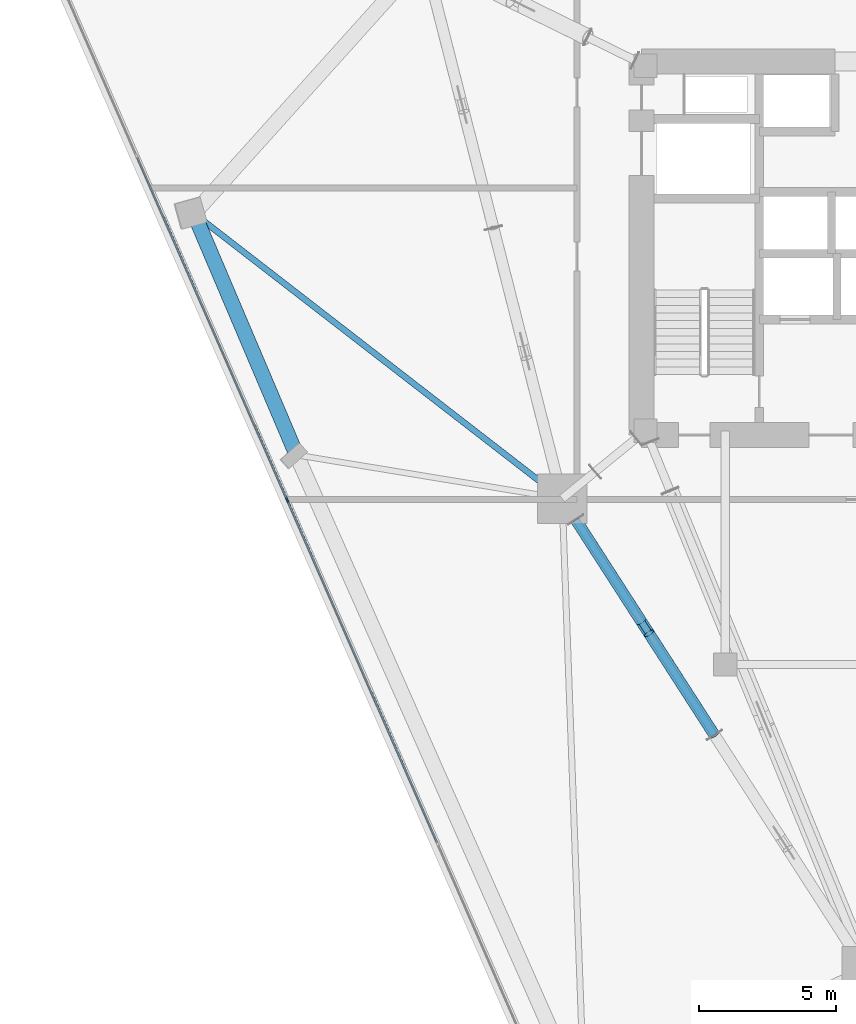
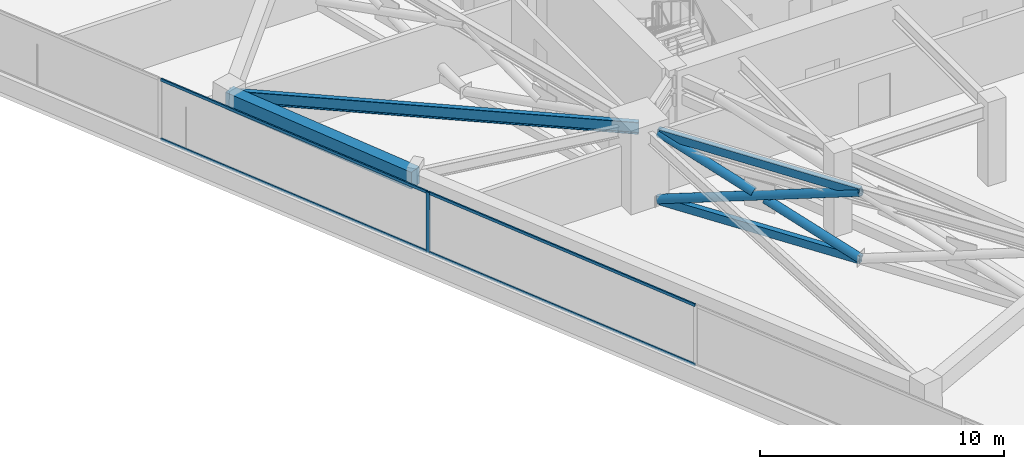
# One storey, part 6 of 20: 10 members, 2 beams, 1 element without a shape of its own.
"""IFC4 building model written with IfcOpenShell, lengths in metres."""

from ifc_helpers import new_model, si_unit, direction, frame, origin, origin_2d, place, context, subcontext, project, spatial, rectangle, hollow_rectangle, hollow_circle, i_section, extrude, material, layer, layer_set, material_profile, profile_set, type_object, element, aggregate, save


model = new_model("IFC4")

# Units and contexts
model_context = context("Model", 3, precision=1e-05, world=origin(), true_north=direction((0.0, 1.0)))
body_context = subcontext(model_context, "Body", "Model", "MODEL_VIEW")
ifc_project = project(units=[si_unit("LENGTHUNIT", "METRE"), si_unit("AREAUNIT", "SQUARE_METRE"), si_unit("VOLUMEUNIT", "CUBIC_METRE"), si_unit("PLANEANGLEUNIT", "RADIAN"), si_unit("MASSUNIT", "GRAM", prefix="KILO")], contexts=[model_context])

# Site, building, storey
site_placement = place(None, origin())
site = spatial("IfcSite", under=ifc_project, at=site_placement, CompositionType="ELEMENT")
building_placement = place(site_placement, origin())
building = spatial("IfcBuilding", under=site, at=building_placement, Name="Talyreon Biosciences Tower", CompositionType="ELEMENT")
storey_placement = place(building_placement, frame((0.0, 0.0, 66.60009765625)))
storey = spatial("IfcBuildingStorey", under=building, at=storey_placement, Name="L17", CompositionType="ELEMENT", Elevation=66.60009765625)

# Members
ifc_material_1 = material(Name="Steel SM355", Category="steel")
ifc_material_profile_1 = material_profile(ifc_material_1, hollow_circle(Radius=0.203125, WallThickness=0.01611328125, at=origin_2d()), Name="CHS 406.4x16")
ifc_profile_set_1 = profile_set([ifc_material_profile_1], Name="Steel SM355")
member_type_1 = type_object("IfcMemberType", Name="BeltBrace_CHS406", PredefinedType="BRACE", material=ifc_profile_set_1)
member_1_placement = place(storey_placement, frame((55.406494140625, 58.115234375, 0.239990234375), z_axis=(0.509418793271, -0.790970812195, 0.33890657609), x_axis=(0.840724883889, 0.541462528352, 0.0)))
element("IfcMember", 1, at=member_1_placement, inside=storey, type_object=member_type_1, Name="L17 Continuous Diagonal BELT-L17-B6S1A", PredefinedType="BRACE", context=body_context, shape_type="SweptSolid", body=[
    extrude(hollow_circle(Radius=0.203125, WallThickness=0.01611328125, at=origin_2d()), origin(), (0.0, 0.0, 1.0), 9.913818359375),
])
for number, where, z_axis, x_axis, name in (
    (2, (60.456787109375, 50.273681640625, 0.239990234375), (-0.509438384966, 0.790963255354, 0.338894763316), (-0.840713049302, -0.541480903388, 0.0), "L17 Split Diagonal BELT-L17-B6S1B-Lower"),
    (3, (57.7890625, 54.416015625, 2.014892578125), (-0.509438384966, 0.790963255354, 0.338894763316), (-0.840713049302, -0.541480903388, 0.0), "L17 Split Diagonal BELT-L17-B6S1B-Upper"),
):
    element("IfcMember", number, at=place(storey_placement, frame(where, z_axis=z_axis, x_axis=x_axis)), inside=storey, type_object=member_type_1, Name=name, PredefinedType="BRACE", context=body_context, shape_type="SweptSolid", body=[
        extrude(hollow_circle(Radius=0.203125, WallThickness=0.01611328125, at=origin_2d()), origin(), (0.0, 0.0, 1.0), 4.6767578125),
    ])
ifc_material_profile_2 = material_profile(ifc_material_1, hollow_rectangle(XDim=0.25, YDim=0.39990234375, WallThickness=0.01611328125, at=origin_2d()), Name="RHS 400x250x16")
ifc_profile_set_2 = profile_set([ifc_material_profile_2], Name="Steel SM355")
member_type_2 = type_object("IfcMemberType", Name="BeltChord_RHS400x250", PredefinedType="CHORD", material=ifc_profile_set_2)
for number, where, z_axis, x_axis, name in (
    (4, (55.406494140625, 58.115234375, 0.239990234375), (0.541462528352, -0.840724883889, 0.0), (0.840724883889, 0.541462528352, 0.0), "L17 Truss Bottom Chord BELT-L17-B6S1"),
    (5, (55.406494140625, 58.115234375, 3.599853515625), (0.541462528352, -0.840724883889, 0.0), (0.840724883889, 0.541462528352, 0.0), "L17 Truss Top Chord BELT-L17-B6S1"),
):
    element("IfcMember", number, at=place(storey_placement, frame(where, z_axis=z_axis, x_axis=x_axis)), inside=storey, type_object=member_type_2, Name=name, PredefinedType="CHORD", context=body_context, shape_type="SweptSolid", body=[
        extrude(hollow_rectangle(XDim=0.25, YDim=0.39990234375, WallThickness=0.01611328125, at=origin_2d()), origin(), (0.0, 0.0, 1.0), 9.3271484375),
    ])

# Curtain wall, members
ifc_material_2 = material(Name="Thermally broken aluminium and low-E glazing", Category="aluminium")
ifc_layer = layer(ifc_material_2, 0.195068359375)
ifc_layer_set = layer_set([ifc_layer], Name="Thermally broken aluminium and low-E glazing")
curtain_wall_type = type_object("IfcCurtainWallType", Name="CurtainWall_Zone1WetLab", PredefinedType="NOTDEFINED", material=ifc_layer_set)
curtain_wall_placement = place(storey_placement, origin())
curtain_wall = element("IfcCurtainWall", 6, at=curtain_wall_placement, inside=storey, type_object=curtain_wall_type, Name="L17 Unitised Curtain Wall FCW-L17-00", PredefinedType="NOTDEFINED")
ifc_material_3 = material(Name="Anodised thermally broken aluminium", Category="aluminium")
ifc_material_profile_3 = material_profile(ifc_material_3, rectangle(XDim=0.06494140625, YDim=0.179931640625, at=origin_2d()), Name="ALUM MULLION 65x180")
ifc_profile_set_3 = profile_set([ifc_material_profile_3], Name="Anodised thermally broken aluminium")
member_type_3 = type_object("IfcMemberType", Name="CWMullion_65x180", PredefinedType="MULLION", material=ifc_profile_set_3)
member_2_placement = place(storey_placement, frame((44.8994140625, 58.830078125, 0.809814453125), z_axis=(0.0, 0.0, 1.0), x_axis=(-0.916151953082, -0.400831135099, 0.0)))
member_2 = element("IfcMember", 7, at=member_2_placement, type_object=member_type_3, Name="CW2 mullion 4", PredefinedType="MULLION", context=body_context, shape_type="SweptSolid", body=[
    extrude(rectangle(XDim=0.06494140625, YDim=0.179931640625, at=origin_2d()), origin(), (0.0, 0.0, 1.0), 3.0400390625),
])
ifc_material_profile_4 = material_profile(ifc_material_3, rectangle(XDim=0.06494140625, YDim=0.139892578125, at=origin_2d()), Name="ALUM TRANSOM 65x140")
ifc_profile_set_4 = profile_set([ifc_material_profile_4], Name="Anodised thermally broken aluminium")
member_type_4 = type_object("IfcMemberType", Name="CWTransom_65x140", PredefinedType="USERDEFINED", material=ifc_profile_set_4)
member_3_placement = place(storey_placement, frame((50.356201171875, 46.357421875, 0.84228515625), z_axis=(-0.40082449197, 0.916154859528, 0.0), x_axis=(-0.916154859528, -0.40082449197, 0.0)))
member_3 = element("IfcMember", 8, at=member_3_placement, type_object=member_type_4, Name="CW2 transom 3.1", ObjectType="TRANSOM", PredefinedType="USERDEFINED", context=body_context, shape_type="SweptSolid", body=[
    extrude(rectangle(XDim=0.06494140625, YDim=0.139892578125, at=origin_2d()), origin(), (0.0, 0.0, 1.0), 13.58154296875),
])
member_4_placement = place(storey_placement, frame((50.356201171875, 46.357421875, 3.8173828125), z_axis=(-0.40082449197, 0.916154859528, 0.0), x_axis=(-0.916154859528, -0.40082449197, 0.0)))
member_4 = element("IfcMember", 9, at=member_4_placement, type_object=member_type_4, Name="CW2 transom 3.2", ObjectType="TRANSOM", PredefinedType="USERDEFINED", context=body_context, shape_type="SweptSolid", body=[
    extrude(rectangle(XDim=0.06494140625, YDim=0.139892578125, at=origin_2d()), origin(), (0.0, 0.0, 1.0), 13.58154296875),
])
member_5_placement = place(storey_placement, frame((44.88623046875, 58.85986328125, 0.84228515625), z_axis=(-0.40082449197, 0.916154859528, 0.0), x_axis=(-0.916154859528, -0.40082449197, 0.0)))
member_5 = element("IfcMember", 10, at=member_5_placement, type_object=member_type_4, Name="CW2 transom 4.1", ObjectType="TRANSOM", PredefinedType="USERDEFINED", context=body_context, shape_type="SweptSolid", body=[
    extrude(rectangle(XDim=0.06494140625, YDim=0.139892578125, at=origin_2d()), origin(), (0.0, 0.0, 1.0), 13.58154296875),
])
member_6_placement = place(storey_placement, frame((44.88623046875, 58.85986328125, 3.8173828125), z_axis=(-0.40082449197, 0.916154859528, 0.0), x_axis=(-0.916154859528, -0.40082449197, 0.0)))
member_6 = element("IfcMember", 11, at=member_6_placement, type_object=member_type_4, Name="CW2 transom 4.2", ObjectType="TRANSOM", PredefinedType="USERDEFINED", context=body_context, shape_type="SweptSolid", body=[
    extrude(rectangle(XDim=0.06494140625, YDim=0.139892578125, at=origin_2d()), origin(), (0.0, 0.0, 1.0), 13.58154296875),
])
aggregate(curtain_wall, [member_2, member_3, member_4, member_5, member_6])

# Beams
ifc_material_4 = material(Name="Precast concrete C45/55", Category="concrete")
ifc_material_profile_5 = material_profile(ifc_material_4, rectangle(XDim=0.550048828125, YDim=0.85009765625, at=origin_2d()), Name="RCB 550x850")
ifc_profile_set_5 = profile_set([ifc_material_profile_5], Name="Precast concrete C45/55")
beam_type_1 = type_object("IfcBeamType", Name="ExpressedSpandrel_550x850", PredefinedType="SPANDREL", material=ifc_profile_set_5)
beam_1_placement = place(storey_placement, frame((41.503662109375, 69.260986328125, 3.4248046875), z_axis=(0.391203412047, -0.920304237957, 0.0), x_axis=(0.920304237957, 0.391203412047, 0.0)))
element("IfcBeam", 12, at=beam_1_placement, inside=storey, type_object=beam_type_1, Name="L17 Expressed Horizontal Concrete Spandrel 10", PredefinedType="SPANDREL", context=body_context, shape_type="SweptSolid", body=[
    extrude(rectangle(XDim=0.550048828125, YDim=0.85009765625, at=origin_2d()), origin(), (0.0, 0.0, 1.0), 9.553466796875),
])
ifc_material_profile_6 = material_profile(ifc_material_1, i_section(OverallWidth=0.219970703125, OverallDepth=0.60009765625, WebThickness=0.011962890625, FlangeThickness=0.01904296875, FilletRadius=0.02392578125, at=origin_2d()), Name="IPE600")
ifc_profile_set_6 = profile_set([ifc_material_profile_6], Name="Steel SM355")
beam_type_2 = type_object("IfcBeamType", Name="SteelJoist_IPE600", PredefinedType="JOIST", material=ifc_profile_set_6)
beam_2_placement = place(storey_placement, frame((54.913818359375, 58.88037109375, 3.5498046875), z_axis=(-0.79076484372, 0.612120055166, 0.0), x_axis=(-0.612120055166, -0.79076484372, 0.0)))
element("IfcBeam", 13, at=beam_2_placement, inside=storey, type_object=beam_type_2, Name="L17 Radial Composite Floor Joist PC-SW1", PredefinedType="JOIST", context=body_context, shape_type="SweptSolid", body=[
    extrude(i_section(OverallWidth=0.219970703125, OverallDepth=0.60009765625, WebThickness=0.011962890625, FlangeThickness=0.01904296875, FilletRadius=0.02392578125, at=origin_2d()), origin(), (0.0, 0.0, 1.0), 16.95849609375),
])

save(model, "model.ifc")
